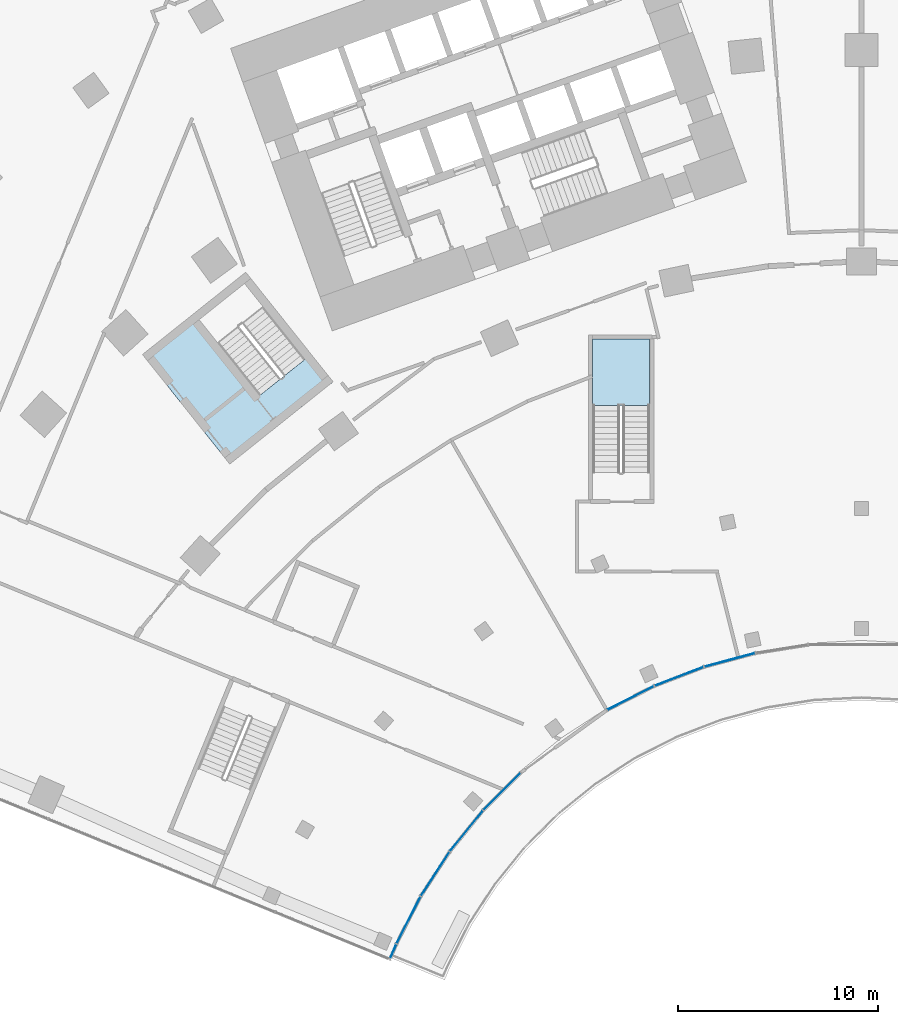
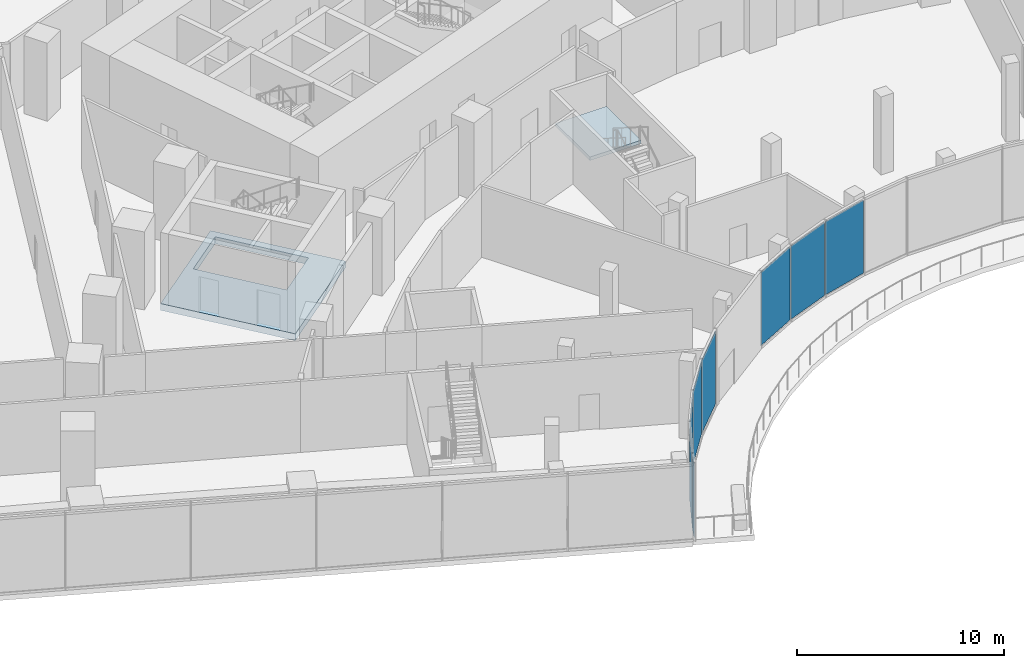
# One storey, part 17 of 39: 8 plates, 2 slabs, 2 elements without a shape of their own.
"""IFC4 building model written with IfcOpenShell, lengths in metres."""

from ifc_helpers import new_model, si_unit, direction, frame, origin, origin_2d, place, context, subcontext, project, spatial, polyline, rectangle, outline, extrude, material, layer, layer_set, type_object, element, aggregate, save


model = new_model("IFC4")

# Units and contexts
model_context = context("Model", 3, precision=1e-05, world=origin(), true_north=direction((0.0, 1.0)))
body_context = subcontext(model_context, "Body", "Model", "MODEL_VIEW")
ifc_project = project(units=[si_unit("LENGTHUNIT", "METRE"), si_unit("AREAUNIT", "SQUARE_METRE"), si_unit("VOLUMEUNIT", "CUBIC_METRE"), si_unit("PLANEANGLEUNIT", "RADIAN"), si_unit("MASSUNIT", "GRAM", prefix="KILO")], contexts=[model_context])

# Site, building, storey
site_placement = place(None, origin())
site = spatial("IfcSite", under=ifc_project, at=site_placement, CompositionType="ELEMENT")
building_placement = place(site_placement, origin())
building = spatial("IfcBuilding", under=site, at=building_placement, Name="Stone Belt Terrace Tower", CompositionType="ELEMENT")
storey_placement = place(building_placement, frame((0.0, 0.0, 16.199951171875)))
storey = spatial("IfcBuildingStorey", under=building, at=storey_placement, Name="L03", CompositionType="ELEMENT", Elevation=16.199951171875)

# Curtain wall, plates
ifc_material_1 = material(Name="Aluminium 6063-T6 anodised frame", Category="aluminium")
ifc_layer_1 = layer(ifc_material_1, 0.14990234375)
ifc_layer_set_1 = layer_set([ifc_layer_1], Name="CW-D podium shopfront")
curtain_wall_type = type_object("IfcCurtainWallType", Name="CW-D podium shopfront", PredefinedType="NOTDEFINED", material=ifc_layer_set_1)
curtain_wall_placement = place(storey_placement, origin())
curtain_wall = element("IfcCurtainWall", 1, at=curtain_wall_placement, inside=storey, type_object=curtain_wall_type, Name="CW-D concave face L03", PredefinedType="NOTDEFINED")
ifc_material_2 = material(Name="Clear double glazed unit")
ifc_layer_2 = layer(ifc_material_2, 0.031982421875)
ifc_layer_set_2 = layer_set([ifc_layer_2], Name="CW-D glass panel 32")
plate_type = type_object("IfcPlateType", Name="CW-D glass panel 32", PredefinedType="CURTAIN_PANEL", material=ifc_layer_set_2)
plate_1_placement = place(storey_placement, frame((-23.383056640625, 9.975830078125, 0.14013671875), z_axis=(0.0, 0.0, 1.0), x_axis=(0.393033792222, 0.919524028056, 0.0)))
plate_1 = element("IfcPlate", 2, at=plate_1_placement, type_object=plate_type, Name="CW-D panel 1.1", PredefinedType="CURTAIN_PANEL", context=body_context, shape_type="SweptSolid", body=[
    extrude(rectangle(XDim=0.727294921875, YDim=0.031982421875, at=origin_2d()), origin(), (0.0, 0.0, 1.0), 4.320068359375),
])
plate_2_placement = place(storey_placement, frame((-22.623291015625, 11.525634765625, 0.14013671875), z_axis=(0.0, 0.0, 1.0), x_axis=(0.45399049974, 0.891006524188, 0.0)))
plate_2 = element("IfcPlate", 3, at=plate_2_placement, type_object=plate_type, Name="CW-D panel 2.1", PredefinedType="CURTAIN_PANEL", context=body_context, shape_type="SweptSolid", body=[
    extrude(rectangle(XDim=2.59619140625, YDim=0.031982421875, at=origin_2d()), origin(), (0.0, 0.0, 1.0), 4.320068359375),
])
plate_3_placement = place(storey_placement, frame((-21.2939453125, 13.828369140625, 0.14013671875), z_axis=(0.0, 0.0, 1.0), x_axis=(0.544639035015, 0.838670567945, 0.0)))
plate_3 = element("IfcPlate", 4, at=plate_3_placement, type_object=plate_type, Name="CW-D panel 3.1", PredefinedType="CURTAIN_PANEL", context=body_context, shape_type="SweptSolid", body=[
    extrude(rectangle(XDim=2.593505859375, YDim=0.031982421875, at=origin_2d()), origin(), (0.0, 0.0, 1.0), 4.320068359375),
])
plate_4_placement = place(storey_placement, frame((-19.731689453125, 15.978515625, 0.14013671875), z_axis=(0.0, 0.0, 1.0), x_axis=(0.62932039105, 0.777145961457, 0.0)))
plate_4 = element("IfcPlate", 5, at=plate_4_placement, type_object=plate_type, Name="CW-D panel 4.1", PredefinedType="CURTAIN_PANEL", context=body_context, shape_type="SweptSolid", body=[
    extrude(rectangle(XDim=2.593505859375, YDim=0.031982421875, at=origin_2d()), origin(), (0.0, 0.0, 1.0), 4.320068359375),
])
plate_5_placement = place(storey_placement, frame((-17.954833984375, 17.9521484375, 0.14013671875), z_axis=(0.0, 0.0, 1.0), x_axis=(0.707106781187, 0.707106781187, 0.0)))
plate_5 = element("IfcPlate", 6, at=plate_5_placement, type_object=plate_type, Name="CW-D panel 5.1", PredefinedType="CURTAIN_PANEL", context=body_context, shape_type="SweptSolid", body=[
    extrude(rectangle(XDim=2.589599609375, YDim=0.031982421875, at=origin_2d()), origin(), (0.0, 0.0, 1.0), 4.320068359375),
])
plate_6_placement = place(storey_placement, frame((-11.525146484375, 22.62353515625, 0.14013671875), z_axis=(0.0, 0.0, 1.0), x_axis=(0.891006524188, 0.45399049974, 0.0)))
plate_6 = element("IfcPlate", 7, at=plate_6_placement, type_object=plate_type, Name="CW-D panel 7.1", PredefinedType="CURTAIN_PANEL", context=body_context, shape_type="SweptSolid", body=[
    extrude(rectangle(XDim=2.589599609375, YDim=0.031982421875, at=origin_2d()), origin(), (0.0, 0.0, 1.0), 4.320068359375),
])
plate_7_placement = place(storey_placement, frame((-9.098876953125, 23.70361328125, 0.14013671875), z_axis=(0.0, 0.0, 1.0), x_axis=(0.933580426497, 0.358367949545, 0.0)))
plate_7 = element("IfcPlate", 8, at=plate_7_placement, type_object=plate_type, Name="CW-D panel 8.1", PredefinedType="CURTAIN_PANEL", context=body_context, shape_type="SweptSolid", body=[
    extrude(rectangle(XDim=2.593505859375, YDim=0.031982421875, at=origin_2d()), origin(), (0.0, 0.0, 1.0), 4.320068359375),
])
plate_8_placement = place(storey_placement, frame((-6.571533203125, 24.52490234375, 0.14013671875), z_axis=(0.0, 0.0, 1.0), x_axis=(0.965925826289, 0.258819045103, 0.0)))
plate_8 = element("IfcPlate", 9, at=plate_8_placement, type_object=plate_type, Name="CW-D panel 9.1", PredefinedType="CURTAIN_PANEL", context=body_context, shape_type="SweptSolid", body=[
    extrude(rectangle(XDim=2.593505859375, YDim=0.031982421875, at=origin_2d()), origin(), (0.0, 0.0, 1.0), 4.320068359375),
])
aggregate(curtain_wall, [plate_1, plate_2, plate_3, plate_4, plate_5, plate_6, plate_7, plate_8])

# Slab
ifc_material_3 = material(Name="Concrete B40", Category="concrete")
ifc_layer_3 = layer(ifc_material_3, 0.39990234375)
ifc_layer_set_3 = layer_set([ifc_layer_3], Name="Core floor slab 400")
slab_type_1 = type_object("IfcSlabType", Name="Core floor slab 400", PredefinedType="FLOOR", material=ifc_layer_set_3)
slab_1_placement = place(storey_placement, frame((0.0, 0.0, -0.39990234375)))
element("IfcSlab", 10, at=slab_1_placement, inside=storey, type_object=slab_type_1, Name="Exit stair ST3A floor L03", PredefinedType="FLOOR", context=body_context, shape_type="SweptSolid", body=[
    extrude(outline(polyline([(-26.39404296875, 38.425048828125), (-30.756103515625, 43.89990234375), (-35.91796875, 39.787109375), (-31.555908203125, 34.31298828125), (-26.39404296875, 38.425048828125)]), holes=[polyline([(-27.798095703125, 39.544921875), (-30.06591796875, 37.738037109375), (-33.087890625, 41.531005859375), (-30.820068359375, 43.337890625), (-27.798095703125, 39.544921875)])]), origin(), (0.0, 0.0, 1.0), 0.39990234375),
])

# Stair, slab
ifc_material_4 = material(Name="Concrete B30", Category="concrete")
stair_type = type_object("IfcStairType", Name="Podium stair concrete B30", PredefinedType="HALF_TURN_STAIR", material=ifc_material_4)
stair_placement = place(storey_placement, origin())
stair = element("IfcStair", 11, at=stair_placement, inside=storey, type_object=stair_type, Name="L03 podium exit stair 5", PredefinedType="HALF_TURN_STAIR")
ifc_layer_4 = layer(ifc_material_4, 0.199951171875)
ifc_layer_set_4 = layer_set([ifc_layer_4], Name="Podium stair landing concrete B30")
slab_type_2 = type_object("IfcSlabType", Name="Podium stair landing concrete B30", PredefinedType="LANDING", material=ifc_layer_set_4)
slab_2_placement = place(storey_placement, frame((0.0, 0.0, 2.10009765625)))
slab_2 = element("IfcSlab", 12, at=slab_2_placement, type_object=slab_type_2, Name="PS5 landing 1", PredefinedType="LANDING", context=body_context, shape_type="SweptSolid", body=[
    extrude(outline(polyline([(-10.574951171875, 37.2470703125), (-10.574951171875, 40.56005859375), (-13.425048828125, 40.56005859375), (-13.425048828125, 37.2470703125), (-10.574951171875, 37.2470703125)])), origin(), (0.0, 0.0, 1.0), 0.199951171875),
])
aggregate(stair, [slab_2])

save(model, "model.ifc")
